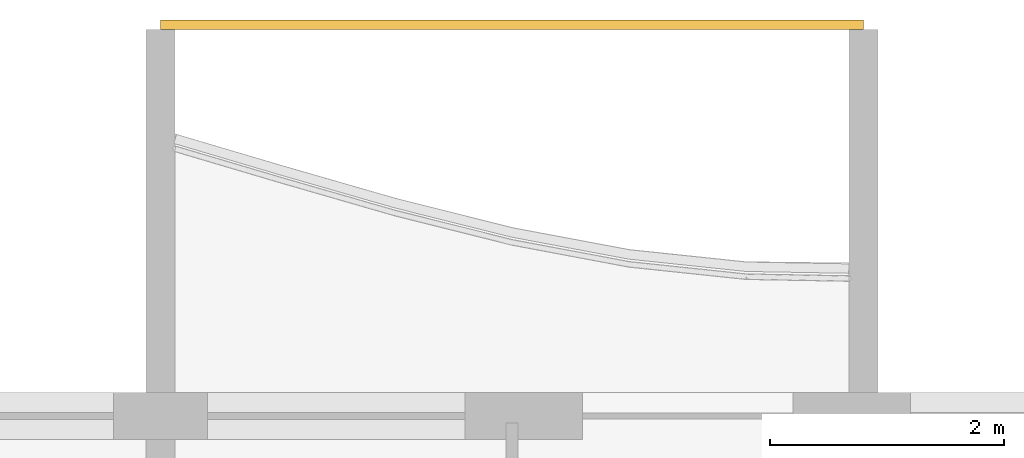
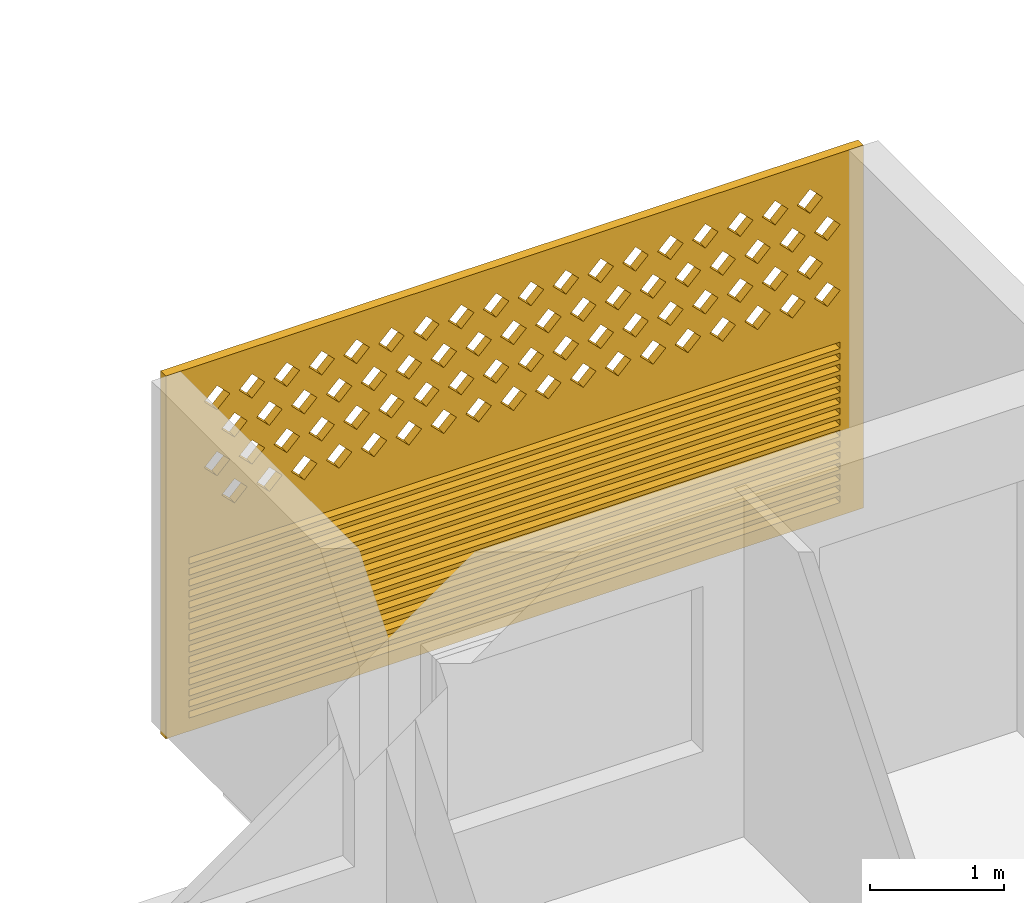
# One storey, part 20 of 26: 1 covering.
"""IFC4 building model written with IfcOpenShell, lengths in metres."""

import ifcopenshell
import ifcopenshell.guid

model = None  # the IFC model being written
_history = None  # IfcOwnerHistory: only IFC2X3 demands one
_inside = {}  # id of a spatial element -> (the spatial element, [elements in it])
_under = {}  # id of a project, library or spatial element -> (it, [spatial elements below it])
_declared = {}  # id of a project -> (the project, [libraries it declares])
_typed = {}  # id of a type object -> (the type object, [elements of that type])
_made_of = {}  # id of a material, layer set ... -> (it, [elements and type objects made of it])


def new_model(schema):
    """Start an empty IFC model of exactly this schema.

    Asked for "IFC4X3", IfcOpenShell would pick the latest addendum, in which some entities
    have other attributes; the version numbers below select the first issue.
    IFC2X3 requires an IfcOwnerHistory on every rooted entity: one is made here for all.
    """
    global model, _history
    if schema == "IFC4X3":
        model = ifcopenshell.file(schema_version=(4, 3, 0, 0))
    else:
        model = ifcopenshell.file(schema=schema)
    _inside.clear()
    _under.clear()
    _declared.clear()
    _typed.clear()
    _made_of.clear()
    _history = None
    if model.schema == "IFC2X3":
        org = make("IfcOrganization", Name="unknown")
        user = make(
            "IfcPersonAndOrganization",
            ThePerson=make("IfcPerson", FamilyName="unknown"),
            TheOrganization=org,
        )
        app = make(
            "IfcApplication",
            ApplicationDeveloper=org,
            Version="unknown",
            ApplicationFullName="unknown",
            ApplicationIdentifier="unknown",
        )
        _history = make(
            "IfcOwnerHistory",
            OwningUser=user,
            OwningApplication=app,
            ChangeAction="ADDED",
            CreationDate=0,
        )
    return model


def make(cls, **values):
    """One entity of the class cls with the attributes given. An attribute that is None is left unset."""
    return model.create_entity(
        cls, **{name: value for name, value in values.items() if value is not None}
    )


def rooted(cls, **values):
    """An entity with a GlobalId (a new one), such as an element, a storey or a relation."""
    return make(cls, GlobalId=ifcopenshell.guid.new(), OwnerHistory=_history, **values)


def si_unit(unit_type, name, prefix=None):
    """IfcSIUnit, for example si_unit("LENGTHUNIT", "METRE", prefix="MILLI")."""
    return make("IfcSIUnit", UnitType=unit_type, Prefix=prefix, Name=name)


def assignment(units):
    """IfcUnitAssignment: the units of a project."""
    return None if units is None else make("IfcUnitAssignment", Units=units)


def point(xyz):
    """IfcCartesianPoint."""
    return None if xyz is None else make("IfcCartesianPoint", Coordinates=xyz)


def direction(xyz):
    """IfcDirection."""
    return None if xyz is None else make("IfcDirection", DirectionRatios=xyz)


def frame(location, z_axis=None, x_axis=None):
    """IfcAxis2Placement3D, a coordinate frame: its origin and axes. An axis left out is left unset."""
    return make(
        "IfcAxis2Placement3D",
        Location=point(location),
        Axis=direction(z_axis),
        RefDirection=direction(x_axis),
    )


def origin():
    """The frame at (0, 0, 0) with its axes left unset."""
    return frame((0.0, 0.0, 0.0))


def place(relative_to, where):
    """IfcLocalPlacement: puts the frame where relative to a parent placement (None: the world)."""
    return make(
        "IfcLocalPlacement", PlacementRelTo=relative_to, RelativePlacement=where
    )


def context(
    kind, dimensions, precision=None, world=None, true_north=None, identifier=None
):
    """IfcGeometricRepresentationContext, for example the 3D "Model" context."""
    return make(
        "IfcGeometricRepresentationContext",
        ContextIdentifier=identifier,
        ContextType=kind,
        CoordinateSpaceDimension=dimensions,
        Precision=precision,
        WorldCoordinateSystem=world,
        TrueNorth=true_north,
    )


def subcontext(parent, identifier, kind, view, scale=None):
    """IfcGeometricRepresentationSubContext, for example "Body" below "Model"."""
    return make(
        "IfcGeometricRepresentationSubContext",
        ContextIdentifier=identifier,
        ContextType=kind,
        ParentContext=parent,
        TargetScale=scale,
        TargetView=view,
    )


def project(units=None, contexts=None):
    """IfcProject with its units and contexts."""
    return rooted(
        "IfcProject",
        Name="project",
        RepresentationContexts=contexts,
        UnitsInContext=assignment(units),
    )


def spatial(cls, under=None, at=None, **own):
    """A site, building, storey or space (cls), placed at a placement, below another one or the project."""
    s = rooted(cls, ObjectPlacement=at, **own)
    if under is not None:
        _under.setdefault(under.id(), (under, []))[1].append(s)
    return s


def polyline(points):
    """IfcPolyline through the points."""
    return make("IfcPolyline", Points=[point(p) for p in points])


def outline(outer, holes=None, kind="AREA"):
    """IfcArbitraryClosedProfileDef: a profile drawn as a closed curve; with holes, ...WithVoids."""
    if holes is None:
        return make("IfcArbitraryClosedProfileDef", ProfileType=kind, OuterCurve=outer)
    return make(
        "IfcArbitraryProfileDefWithVoids",
        ProfileType=kind,
        OuterCurve=outer,
        InnerCurves=holes,
    )


def extrude(swept, where, along, depth):
    """IfcExtrudedAreaSolid: the profile swept, set in the frame where, extruded along a direction by depth."""
    return make(
        "IfcExtrudedAreaSolid",
        SweptArea=swept,
        Position=where,
        ExtrudedDirection=direction(along),
        Depth=depth,
    )


def shape(context_of_items, identifier, shape_type, items):
    """IfcShapeRepresentation: the items that make up one representation, for example the "Body"."""
    return make(
        "IfcShapeRepresentation",
        ContextOfItems=context_of_items,
        RepresentationIdentifier=identifier,
        RepresentationType=shape_type,
        Items=items,
    )


def source(mapping_origin, context_of_items, identifier, shape_type, items):
    """IfcRepresentationMap: a shape defined once, which mapped items show again and again."""
    return make(
        "IfcRepresentationMap",
        MappingOrigin=mapping_origin,
        MappedRepresentation=shape(context_of_items, identifier, shape_type, items),
    )


def transform(
    local_origin,
    x_axis=None,
    y_axis=None,
    z_axis=None,
    scale=None,
    scale2=None,
    scale3=None,
    uniform=True,
):
    """IfcCartesianTransformationOperator3D, or its non-uniform kind. x_axis, y_axis, z_axis: its Axis1, 2, 3."""
    if uniform:
        return make(
            "IfcCartesianTransformationOperator3D",
            Axis1=direction(x_axis),
            Axis2=direction(y_axis),
            LocalOrigin=point(local_origin),
            Scale=scale,
            Axis3=direction(z_axis),
        )
    return make(
        "IfcCartesianTransformationOperator3DnonUniform",
        Axis1=direction(x_axis),
        Axis2=direction(y_axis),
        LocalOrigin=point(local_origin),
        Scale=scale,
        Axis3=direction(z_axis),
        Scale2=scale2,
        Scale3=scale3,
    )


def mapped(mapping_source, mapping_target):
    """IfcMappedItem: shows the shape of a source again, moved by a transform."""
    return make(
        "IfcMappedItem", MappingSource=mapping_source, MappingTarget=mapping_target
    )


def material(Name=None, Category=None):
    """IfcMaterial."""
    return make("IfcMaterial", Name=Name, Category=Category)


def material_profile(
    of_material, cross_section, Name=None, Category=None, Priority=None
):
    """IfcMaterialProfile: a cross section and its material."""
    return make(
        "IfcMaterialProfile",
        Name=Name,
        Material=of_material,
        Profile=cross_section,
        Priority=Priority,
        Category=Category,
    )


def profile_set(profiles, Name=None, composite=None):
    """IfcMaterialProfileSet."""
    return make(
        "IfcMaterialProfileSet",
        Name=Name,
        MaterialProfiles=profiles,
        CompositeProfile=composite,
    )


def made_of(thing, what):
    """Note that an element or type object is made of a material, layer set ...; save() writes the relation."""
    if what is not None:
        _made_of.setdefault(what.id(), (what, []))[1].append(thing)
    return thing


def type_object(cls, material=None, **own):
    """A type object (cls), such as IfcWallType, which elements share."""
    return made_of(rooted(cls, **own), material)


def element(
    cls,
    number,
    at=None,
    inside=None,
    cuts=None,
    type_object=None,
    material=None,
    context=None,
    identifier="Body",
    shape_type=None,
    held_by="IfcProductDefinitionShape",
    body=None,
    shapes=None,
    **own,
):
    """One element of the class cls, such as IfcWall. Its Tag is "e" and its number.

    at: its placement. inside: the storey or other place that contains it. cuts: it is an
    opening in that element (IfcRelVoidsElement). A single representation is given by context,
    identifier, shape_type and body (its items); several are given by shapes. held_by: the class
    of the entity that holds the representations. save() writes the other relations.
    """
    e = rooted(cls, Tag="e%d" % number, ObjectPlacement=at, **own)
    if body is not None:
        shapes = [shape(context, identifier, shape_type, body)]
    if shapes is not None:
        e.Representation = make(held_by, Representations=shapes)
    if inside is not None:
        _inside.setdefault(inside.id(), (inside, []))[1].append(e)
    if cuts is not None:
        rooted(
            "IfcRelVoidsElement", RelatingBuildingElement=cuts, RelatedOpeningElement=e
        )
    if type_object is not None:
        _typed.setdefault(type_object.id(), (type_object, []))[1].append(e)
    return made_of(e, material)


def aggregate(whole, parts):
    """IfcRelAggregates: a whole, such as a stair, and the parts it consists of."""
    return rooted("IfcRelAggregates", RelatingObject=whole, RelatedObjects=parts)


def save(model, path):
    """Write the relations noted so far, then the file.

    IfcRelAggregates (storeys below a building ...), IfcRelContainedInSpatialStructure (elements
    in a storey), IfcRelDefinesByType, IfcRelAssociatesMaterial and IfcRelDeclares: one each for
    every whole, place, type object, material and project.
    """
    for whole, parts in _under.values():
        aggregate(whole, parts)
    for where, things in _inside.values():
        rooted(
            "IfcRelContainedInSpatialStructure",
            RelatedElements=things,
            RelatingStructure=where,
        )
    for kind, things in _typed.values():
        rooted("IfcRelDefinesByType", RelatedObjects=things, RelatingType=kind)
    for what, things in _made_of.values():
        rooted("IfcRelAssociatesMaterial", RelatedObjects=things, RelatingMaterial=what)
    for by, libraries in _declared.values():
        rooted("IfcRelDeclares", RelatingContext=by, RelatedDefinitions=libraries)
    model.write(path)


model = new_model("IFC4")

# Units and contexts
model_context = context("Model", 3, precision=1e-05, world=origin(), true_north=direction((0.0, 1.0)))
body_context = subcontext(model_context, "Body", "Model", "MODEL_VIEW")
ifc_project = project(units=[si_unit("LENGTHUNIT", "METRE"), si_unit("AREAUNIT", "SQUARE_METRE"), si_unit("VOLUMEUNIT", "CUBIC_METRE"), si_unit("PLANEANGLEUNIT", "RADIAN"), si_unit("MASSUNIT", "GRAM", prefix="KILO")], contexts=[model_context])

# Site, building, storey
site_placement = place(None, origin())
site = spatial("IfcSite", under=ifc_project, at=site_placement, CompositionType="ELEMENT")
building_placement = place(site_placement, origin())
building = spatial("IfcBuilding", under=site, at=building_placement, Name="Poui Terraces", CompositionType="ELEMENT")
storey_placement = place(building_placement, frame((0.0, 0.0, 221.39990234375)))
storey = spatial("IfcBuildingStorey", under=building, at=storey_placement, Name="L61", CompositionType="ELEMENT", Elevation=221.39990234375)

# Covering
ifc_material = material(Name="Terracotta screen", Category="masonry")
ifc_material_profile = material_profile(ifc_material, outline(polyline([(-3.0, -1.64990234375), (3.0, -1.64990234375), (3.0, 1.64990234375), (-3.0, 1.64990234375), (-3.0, -1.64990234375)]), holes=[polyline([(-2.800048828125, 0.39990234375), (-2.68994140625, 0.2900390625), (-2.580078125, 0.39990234375), (-2.68994140625, 0.510009765625), (-2.800048828125, 0.39990234375)]), polyline([(-2.5, 0.39990234375), (-2.389892578125, 0.2900390625), (-2.280029296875, 0.39990234375), (-2.389892578125, 0.510009765625), (-2.5, 0.39990234375)]), polyline([(-2.199951171875, 0.39990234375), (-2.090087890625, 0.2900390625), (-1.97998046875, 0.39990234375), (-2.090087890625, 0.510009765625), (-2.199951171875, 0.39990234375)]), polyline([(-1.89990234375, 0.39990234375), (-1.7900390625, 0.2900390625), (-1.679931640625, 0.39990234375), (-1.7900390625, 0.510009765625), (-1.89990234375, 0.39990234375)]), polyline([(-1.60009765625, 0.39990234375), (-1.489990234375, 0.2900390625), (-1.3798828125, 0.39990234375), (-1.489990234375, 0.510009765625), (-1.60009765625, 0.39990234375)]), polyline([(-1.300048828125, 0.39990234375), (-1.18994140625, 0.2900390625), (-1.080078125, 0.39990234375), (-1.18994140625, 0.510009765625), (-1.300048828125, 0.39990234375)]), polyline([(-1.0, 0.39990234375), (-0.889892578125, 0.2900390625), (-0.780029296875, 0.39990234375), (-0.889892578125, 0.510009765625), (-1.0, 0.39990234375)]), polyline([(-0.699951171875, 0.39990234375), (-0.590087890625, 0.2900390625), (-0.47998046875, 0.39990234375), (-0.590087890625, 0.510009765625), (-0.699951171875, 0.39990234375)]), polyline([(-0.39990234375, 0.39990234375), (-0.2900390625, 0.2900390625), (-0.179931640625, 0.39990234375), (-0.2900390625, 0.510009765625), (-0.39990234375, 0.39990234375)]), polyline([(-0.10009765625, 0.39990234375), (0.010009765625, 0.2900390625), (0.1201171875, 0.39990234375), (0.010009765625, 0.510009765625), (-0.10009765625, 0.39990234375)]), polyline([(0.199951171875, 0.39990234375), (0.31005859375, 0.2900390625), (0.419921875, 0.39990234375), (0.31005859375, 0.510009765625), (0.199951171875, 0.39990234375)]), polyline([(0.5, 0.39990234375), (0.610107421875, 0.2900390625), (0.719970703125, 0.39990234375), (0.610107421875, 0.510009765625), (0.5, 0.39990234375)]), polyline([(0.800048828125, 0.39990234375), (0.909912109375, 0.2900390625), (1.02001953125, 0.39990234375), (0.909912109375, 0.510009765625), (0.800048828125, 0.39990234375)]), polyline([(1.10009765625, 0.39990234375), (1.2099609375, 0.2900390625), (1.320068359375, 0.39990234375), (1.2099609375, 0.510009765625), (1.10009765625, 0.39990234375)]), polyline([(1.39990234375, 0.39990234375), (1.510009765625, 0.2900390625), (1.6201171875, 0.39990234375), (1.510009765625, 0.510009765625), (1.39990234375, 0.39990234375)]), polyline([(1.699951171875, 0.39990234375), (1.81005859375, 0.2900390625), (1.919921875, 0.39990234375), (1.81005859375, 0.510009765625), (1.699951171875, 0.39990234375)]), polyline([(2.0, 0.39990234375), (2.110107421875, 0.2900390625), (2.219970703125, 0.39990234375), (2.110107421875, 0.510009765625), (2.0, 0.39990234375)]), polyline([(2.300048828125, 0.39990234375), (2.409912109375, 0.2900390625), (2.52001953125, 0.39990234375), (2.409912109375, 0.510009765625), (2.300048828125, 0.39990234375)]), polyline([(-2.64990234375, 0.699951171875), (-2.5400390625, 0.590087890625), (-2.429931640625, 0.699951171875), (-2.5400390625, 0.81005859375), (-2.64990234375, 0.699951171875)]), polyline([(-2.35009765625, 0.699951171875), (-2.239990234375, 0.590087890625), (-2.1298828125, 0.699951171875), (-2.239990234375, 0.81005859375), (-2.35009765625, 0.699951171875)]), polyline([(-2.050048828125, 0.699951171875), (-1.93994140625, 0.590087890625), (-1.830078125, 0.699951171875), (-1.93994140625, 0.81005859375), (-2.050048828125, 0.699951171875)]), polyline([(-1.75, 0.699951171875), (-1.639892578125, 0.590087890625), (-1.530029296875, 0.699951171875), (-1.639892578125, 0.81005859375), (-1.75, 0.699951171875)]), polyline([(-1.449951171875, 0.699951171875), (-1.340087890625, 0.590087890625), (-1.22998046875, 0.699951171875), (-1.340087890625, 0.81005859375), (-1.449951171875, 0.699951171875)]), polyline([(-1.14990234375, 0.699951171875), (-1.0400390625, 0.590087890625), (-0.929931640625, 0.699951171875), (-1.0400390625, 0.81005859375), (-1.14990234375, 0.699951171875)]), polyline([(-0.85009765625, 0.699951171875), (-0.739990234375, 0.590087890625), (-0.6298828125, 0.699951171875), (-0.739990234375, 0.81005859375), (-0.85009765625, 0.699951171875)]), polyline([(-0.550048828125, 0.699951171875), (-0.43994140625, 0.590087890625), (-0.330078125, 0.699951171875), (-0.43994140625, 0.81005859375), (-0.550048828125, 0.699951171875)]), polyline([(-0.25, 0.699951171875), (-0.139892578125, 0.590087890625), (-0.030029296875, 0.699951171875), (-0.139892578125, 0.81005859375), (-0.25, 0.699951171875)]), polyline([(0.050048828125, 0.699951171875), (0.159912109375, 0.590087890625), (0.27001953125, 0.699951171875), (0.159912109375, 0.81005859375), (0.050048828125, 0.699951171875)]), polyline([(0.35009765625, 0.699951171875), (0.4599609375, 0.590087890625), (0.570068359375, 0.699951171875), (0.4599609375, 0.81005859375), (0.35009765625, 0.699951171875)]), polyline([(0.64990234375, 0.699951171875), (0.760009765625, 0.590087890625), (0.8701171875, 0.699951171875), (0.760009765625, 0.81005859375), (0.64990234375, 0.699951171875)]), polyline([(0.949951171875, 0.699951171875), (1.06005859375, 0.590087890625), (1.169921875, 0.699951171875), (1.06005859375, 0.81005859375), (0.949951171875, 0.699951171875)]), polyline([(1.25, 0.699951171875), (1.360107421875, 0.590087890625), (1.469970703125, 0.699951171875), (1.360107421875, 0.81005859375), (1.25, 0.699951171875)]), polyline([(1.550048828125, 0.699951171875), (1.659912109375, 0.590087890625), (1.77001953125, 0.699951171875), (1.659912109375, 0.81005859375), (1.550048828125, 0.699951171875)]), polyline([(1.85009765625, 0.699951171875), (1.9599609375, 0.590087890625), (2.070068359375, 0.699951171875), (1.9599609375, 0.81005859375), (1.85009765625, 0.699951171875)]), polyline([(2.14990234375, 0.699951171875), (2.260009765625, 0.590087890625), (2.3701171875, 0.699951171875), (2.260009765625, 0.81005859375), (2.14990234375, 0.699951171875)]), polyline([(2.449951171875, 0.699951171875), (2.56005859375, 0.590087890625), (2.669921875, 0.699951171875), (2.56005859375, 0.81005859375), (2.449951171875, 0.699951171875)]), polyline([(-2.800048828125, 1.0), (-2.68994140625, 0.889892578125), (-2.580078125, 1.0), (-2.68994140625, 1.110107421875), (-2.800048828125, 1.0)]), polyline([(-2.5, 1.0), (-2.389892578125, 0.889892578125), (-2.280029296875, 1.0), (-2.389892578125, 1.110107421875), (-2.5, 1.0)]), polyline([(-2.199951171875, 1.0), (-2.090087890625, 0.889892578125), (-1.97998046875, 1.0), (-2.090087890625, 1.110107421875), (-2.199951171875, 1.0)]), polyline([(-1.89990234375, 1.0), (-1.7900390625, 0.889892578125), (-1.679931640625, 1.0), (-1.7900390625, 1.110107421875), (-1.89990234375, 1.0)]), polyline([(-1.60009765625, 1.0), (-1.489990234375, 0.889892578125), (-1.3798828125, 1.0), (-1.489990234375, 1.110107421875), (-1.60009765625, 1.0)]), polyline([(-1.300048828125, 1.0), (-1.18994140625, 0.889892578125), (-1.080078125, 1.0), (-1.18994140625, 1.110107421875), (-1.300048828125, 1.0)]), polyline([(-1.0, 1.0), (-0.889892578125, 0.889892578125), (-0.780029296875, 1.0), (-0.889892578125, 1.110107421875), (-1.0, 1.0)]), polyline([(-0.699951171875, 1.0), (-0.590087890625, 0.889892578125), (-0.47998046875, 1.0), (-0.590087890625, 1.110107421875), (-0.699951171875, 1.0)]), polyline([(-0.39990234375, 1.0), (-0.2900390625, 0.889892578125), (-0.179931640625, 1.0), (-0.2900390625, 1.110107421875), (-0.39990234375, 1.0)]), polyline([(-0.10009765625, 1.0), (0.010009765625, 0.889892578125), (0.1201171875, 1.0), (0.010009765625, 1.110107421875), (-0.10009765625, 1.0)]), polyline([(0.199951171875, 1.0), (0.31005859375, 0.889892578125), (0.419921875, 1.0), (0.31005859375, 1.110107421875), (0.199951171875, 1.0)]), polyline([(0.5, 1.0), (0.610107421875, 0.889892578125), (0.719970703125, 1.0), (0.610107421875, 1.110107421875), (0.5, 1.0)]), polyline([(0.800048828125, 1.0), (0.909912109375, 0.889892578125), (1.02001953125, 1.0), (0.909912109375, 1.110107421875), (0.800048828125, 1.0)]), polyline([(1.10009765625, 1.0), (1.2099609375, 0.889892578125), (1.320068359375, 1.0), (1.2099609375, 1.110107421875), (1.10009765625, 1.0)]), polyline([(1.39990234375, 1.0), (1.510009765625, 0.889892578125), (1.6201171875, 1.0), (1.510009765625, 1.110107421875), (1.39990234375, 1.0)]), polyline([(1.699951171875, 1.0), (1.81005859375, 0.889892578125), (1.919921875, 1.0), (1.81005859375, 1.110107421875), (1.699951171875, 1.0)]), polyline([(2.0, 1.0), (2.110107421875, 0.889892578125), (2.219970703125, 1.0), (2.110107421875, 1.110107421875), (2.0, 1.0)]), polyline([(2.300048828125, 1.0), (2.409912109375, 0.889892578125), (2.52001953125, 1.0), (2.409912109375, 1.110107421875), (2.300048828125, 1.0)]), polyline([(-2.64990234375, 1.300048828125), (-2.5400390625, 1.18994140625), (-2.429931640625, 1.300048828125), (-2.5400390625, 1.409912109375), (-2.64990234375, 1.300048828125)]), polyline([(-2.35009765625, 1.300048828125), (-2.239990234375, 1.18994140625), (-2.1298828125, 1.300048828125), (-2.239990234375, 1.409912109375), (-2.35009765625, 1.300048828125)]), polyline([(-2.050048828125, 1.300048828125), (-1.93994140625, 1.18994140625), (-1.830078125, 1.300048828125), (-1.93994140625, 1.409912109375), (-2.050048828125, 1.300048828125)]), polyline([(-1.75, 1.300048828125), (-1.639892578125, 1.18994140625), (-1.530029296875, 1.300048828125), (-1.639892578125, 1.409912109375), (-1.75, 1.300048828125)]), polyline([(-1.449951171875, 1.300048828125), (-1.340087890625, 1.18994140625), (-1.22998046875, 1.300048828125), (-1.340087890625, 1.409912109375), (-1.449951171875, 1.300048828125)]), polyline([(-1.14990234375, 1.300048828125), (-1.0400390625, 1.18994140625), (-0.929931640625, 1.300048828125), (-1.0400390625, 1.409912109375), (-1.14990234375, 1.300048828125)]), polyline([(-0.85009765625, 1.300048828125), (-0.739990234375, 1.18994140625), (-0.6298828125, 1.300048828125), (-0.739990234375, 1.409912109375), (-0.85009765625, 1.300048828125)]), polyline([(-0.550048828125, 1.300048828125), (-0.43994140625, 1.18994140625), (-0.330078125, 1.300048828125), (-0.43994140625, 1.409912109375), (-0.550048828125, 1.300048828125)]), polyline([(-0.25, 1.300048828125), (-0.139892578125, 1.18994140625), (-0.030029296875, 1.300048828125), (-0.139892578125, 1.409912109375), (-0.25, 1.300048828125)]), polyline([(0.050048828125, 1.300048828125), (0.159912109375, 1.18994140625), (0.27001953125, 1.300048828125), (0.159912109375, 1.409912109375), (0.050048828125, 1.300048828125)]), polyline([(0.35009765625, 1.300048828125), (0.4599609375, 1.18994140625), (0.570068359375, 1.300048828125), (0.4599609375, 1.409912109375), (0.35009765625, 1.300048828125)]), polyline([(0.64990234375, 1.300048828125), (0.760009765625, 1.18994140625), (0.8701171875, 1.300048828125), (0.760009765625, 1.409912109375), (0.64990234375, 1.300048828125)]), polyline([(0.949951171875, 1.300048828125), (1.06005859375, 1.18994140625), (1.169921875, 1.300048828125), (1.06005859375, 1.409912109375), (0.949951171875, 1.300048828125)]), polyline([(1.25, 1.300048828125), (1.360107421875, 1.18994140625), (1.469970703125, 1.300048828125), (1.360107421875, 1.409912109375), (1.25, 1.300048828125)]), polyline([(1.550048828125, 1.300048828125), (1.659912109375, 1.18994140625), (1.77001953125, 1.300048828125), (1.659912109375, 1.409912109375), (1.550048828125, 1.300048828125)]), polyline([(1.85009765625, 1.300048828125), (1.9599609375, 1.18994140625), (2.070068359375, 1.300048828125), (1.9599609375, 1.409912109375), (1.85009765625, 1.300048828125)]), polyline([(2.14990234375, 1.300048828125), (2.260009765625, 1.18994140625), (2.3701171875, 1.300048828125), (2.260009765625, 1.409912109375), (2.14990234375, 1.300048828125)]), polyline([(2.449951171875, 1.300048828125), (2.56005859375, 1.18994140625), (2.669921875, 1.300048828125), (2.56005859375, 1.409912109375), (2.449951171875, 1.300048828125)]), polyline([(-2.800048828125, -1.530029296875), (2.800048828125, -1.530029296875), (2.800048828125, -1.469970703125), (-2.800048828125, -1.469970703125), (-2.800048828125, -1.530029296875)]), polyline([(-2.800048828125, -1.429931640625), (2.800048828125, -1.429931640625), (2.800048828125, -1.3701171875), (-2.800048828125, -1.3701171875), (-2.800048828125, -1.429931640625)]), polyline([(-2.800048828125, -1.330078125), (2.800048828125, -1.330078125), (2.800048828125, -1.27001953125), (-2.800048828125, -1.27001953125), (-2.800048828125, -1.330078125)]), polyline([(-2.800048828125, -1.22998046875), (2.800048828125, -1.22998046875), (2.800048828125, -1.169921875), (-2.800048828125, -1.169921875), (-2.800048828125, -1.22998046875)]), polyline([(-2.800048828125, -1.1298828125), (2.800048828125, -1.1298828125), (2.800048828125, -1.070068359375), (-2.800048828125, -1.070068359375), (-2.800048828125, -1.1298828125)]), polyline([(-2.800048828125, -1.030029296875), (2.800048828125, -1.030029296875), (2.800048828125, -0.969970703125), (-2.800048828125, -0.969970703125), (-2.800048828125, -1.030029296875)]), polyline([(-2.800048828125, -0.929931640625), (2.800048828125, -0.929931640625), (2.800048828125, -0.8701171875), (-2.800048828125, -0.8701171875), (-2.800048828125, -0.929931640625)]), polyline([(-2.800048828125, -0.830078125), (2.800048828125, -0.830078125), (2.800048828125, -0.77001953125), (-2.800048828125, -0.77001953125), (-2.800048828125, -0.830078125)]), polyline([(-2.800048828125, -0.72998046875), (2.800048828125, -0.72998046875), (2.800048828125, -0.669921875), (-2.800048828125, -0.669921875), (-2.800048828125, -0.72998046875)]), polyline([(-2.800048828125, -0.6298828125), (2.800048828125, -0.6298828125), (2.800048828125, -0.570068359375), (-2.800048828125, -0.570068359375), (-2.800048828125, -0.6298828125)]), polyline([(-2.800048828125, -0.530029296875), (2.800048828125, -0.530029296875), (2.800048828125, -0.469970703125), (-2.800048828125, -0.469970703125), (-2.800048828125, -0.530029296875)]), polyline([(-2.800048828125, -0.429931640625), (2.800048828125, -0.429931640625), (2.800048828125, -0.3701171875), (-2.800048828125, -0.3701171875), (-2.800048828125, -0.429931640625)]), polyline([(-2.800048828125, -0.330078125), (2.800048828125, -0.330078125), (2.800048828125, -0.27001953125), (-2.800048828125, -0.27001953125), (-2.800048828125, -0.330078125)]), polyline([(-2.800048828125, -0.22998046875), (2.800048828125, -0.22998046875), (2.800048828125, -0.169921875), (-2.800048828125, -0.169921875), (-2.800048828125, -0.22998046875)]), polyline([(-2.800048828125, -0.1298828125), (2.800048828125, -0.1298828125), (2.800048828125, -0.070068359375), (-2.800048828125, -0.070068359375), (-2.800048828125, -0.1298828125)])]), Name="TERRACOTTA SCREEN AND JALOUSIE LOUVRE 6000X3300")
ifc_profile_set = profile_set([ifc_material_profile], Name="Terracotta screen")
covering_type = type_object("IfcCoveringType", Name="TERRACOTTA SCREEN AND JALOUSIE LOUVRE 6000X3300", PredefinedType="CLADDING", material=ifc_profile_set)
shared_shape = source(origin(), body_context, "Body", "SweptSolid", [
    extrude(outline(polyline([(-3.0, -1.64990234375), (3.0, -1.64990234375), (3.0, 1.64990234375), (-3.0, 1.64990234375), (-3.0, -1.64990234375)]), holes=[polyline([(-2.800048828125, 0.39990234375), (-2.68994140625, 0.2900390625), (-2.580078125, 0.39990234375), (-2.68994140625, 0.510009765625), (-2.800048828125, 0.39990234375)]), polyline([(-2.5, 0.39990234375), (-2.389892578125, 0.2900390625), (-2.280029296875, 0.39990234375), (-2.389892578125, 0.510009765625), (-2.5, 0.39990234375)]), polyline([(-2.199951171875, 0.39990234375), (-2.090087890625, 0.2900390625), (-1.97998046875, 0.39990234375), (-2.090087890625, 0.510009765625), (-2.199951171875, 0.39990234375)]), polyline([(-1.89990234375, 0.39990234375), (-1.7900390625, 0.2900390625), (-1.679931640625, 0.39990234375), (-1.7900390625, 0.510009765625), (-1.89990234375, 0.39990234375)]), polyline([(-1.60009765625, 0.39990234375), (-1.489990234375, 0.2900390625), (-1.3798828125, 0.39990234375), (-1.489990234375, 0.510009765625), (-1.60009765625, 0.39990234375)]), polyline([(-1.300048828125, 0.39990234375), (-1.18994140625, 0.2900390625), (-1.080078125, 0.39990234375), (-1.18994140625, 0.510009765625), (-1.300048828125, 0.39990234375)]), polyline([(-1.0, 0.39990234375), (-0.889892578125, 0.2900390625), (-0.780029296875, 0.39990234375), (-0.889892578125, 0.510009765625), (-1.0, 0.39990234375)]), polyline([(-0.699951171875, 0.39990234375), (-0.590087890625, 0.2900390625), (-0.47998046875, 0.39990234375), (-0.590087890625, 0.510009765625), (-0.699951171875, 0.39990234375)]), polyline([(-0.39990234375, 0.39990234375), (-0.2900390625, 0.2900390625), (-0.179931640625, 0.39990234375), (-0.2900390625, 0.510009765625), (-0.39990234375, 0.39990234375)]), polyline([(-0.10009765625, 0.39990234375), (0.010009765625, 0.2900390625), (0.1201171875, 0.39990234375), (0.010009765625, 0.510009765625), (-0.10009765625, 0.39990234375)]), polyline([(0.199951171875, 0.39990234375), (0.31005859375, 0.2900390625), (0.419921875, 0.39990234375), (0.31005859375, 0.510009765625), (0.199951171875, 0.39990234375)]), polyline([(0.5, 0.39990234375), (0.610107421875, 0.2900390625), (0.719970703125, 0.39990234375), (0.610107421875, 0.510009765625), (0.5, 0.39990234375)]), polyline([(0.800048828125, 0.39990234375), (0.909912109375, 0.2900390625), (1.02001953125, 0.39990234375), (0.909912109375, 0.510009765625), (0.800048828125, 0.39990234375)]), polyline([(1.10009765625, 0.39990234375), (1.2099609375, 0.2900390625), (1.320068359375, 0.39990234375), (1.2099609375, 0.510009765625), (1.10009765625, 0.39990234375)]), polyline([(1.39990234375, 0.39990234375), (1.510009765625, 0.2900390625), (1.6201171875, 0.39990234375), (1.510009765625, 0.510009765625), (1.39990234375, 0.39990234375)]), polyline([(1.699951171875, 0.39990234375), (1.81005859375, 0.2900390625), (1.919921875, 0.39990234375), (1.81005859375, 0.510009765625), (1.699951171875, 0.39990234375)]), polyline([(2.0, 0.39990234375), (2.110107421875, 0.2900390625), (2.219970703125, 0.39990234375), (2.110107421875, 0.510009765625), (2.0, 0.39990234375)]), polyline([(2.300048828125, 0.39990234375), (2.409912109375, 0.2900390625), (2.52001953125, 0.39990234375), (2.409912109375, 0.510009765625), (2.300048828125, 0.39990234375)]), polyline([(-2.64990234375, 0.699951171875), (-2.5400390625, 0.590087890625), (-2.429931640625, 0.699951171875), (-2.5400390625, 0.81005859375), (-2.64990234375, 0.699951171875)]), polyline([(-2.35009765625, 0.699951171875), (-2.239990234375, 0.590087890625), (-2.1298828125, 0.699951171875), (-2.239990234375, 0.81005859375), (-2.35009765625, 0.699951171875)]), polyline([(-2.050048828125, 0.699951171875), (-1.93994140625, 0.590087890625), (-1.830078125, 0.699951171875), (-1.93994140625, 0.81005859375), (-2.050048828125, 0.699951171875)]), polyline([(-1.75, 0.699951171875), (-1.639892578125, 0.590087890625), (-1.530029296875, 0.699951171875), (-1.639892578125, 0.81005859375), (-1.75, 0.699951171875)]), polyline([(-1.449951171875, 0.699951171875), (-1.340087890625, 0.590087890625), (-1.22998046875, 0.699951171875), (-1.340087890625, 0.81005859375), (-1.449951171875, 0.699951171875)]), polyline([(-1.14990234375, 0.699951171875), (-1.0400390625, 0.590087890625), (-0.929931640625, 0.699951171875), (-1.0400390625, 0.81005859375), (-1.14990234375, 0.699951171875)]), polyline([(-0.85009765625, 0.699951171875), (-0.739990234375, 0.590087890625), (-0.6298828125, 0.699951171875), (-0.739990234375, 0.81005859375), (-0.85009765625, 0.699951171875)]), polyline([(-0.550048828125, 0.699951171875), (-0.43994140625, 0.590087890625), (-0.330078125, 0.699951171875), (-0.43994140625, 0.81005859375), (-0.550048828125, 0.699951171875)]), polyline([(-0.25, 0.699951171875), (-0.139892578125, 0.590087890625), (-0.030029296875, 0.699951171875), (-0.139892578125, 0.81005859375), (-0.25, 0.699951171875)]), polyline([(0.050048828125, 0.699951171875), (0.159912109375, 0.590087890625), (0.27001953125, 0.699951171875), (0.159912109375, 0.81005859375), (0.050048828125, 0.699951171875)]), polyline([(0.35009765625, 0.699951171875), (0.4599609375, 0.590087890625), (0.570068359375, 0.699951171875), (0.4599609375, 0.81005859375), (0.35009765625, 0.699951171875)]), polyline([(0.64990234375, 0.699951171875), (0.760009765625, 0.590087890625), (0.8701171875, 0.699951171875), (0.760009765625, 0.81005859375), (0.64990234375, 0.699951171875)]), polyline([(0.949951171875, 0.699951171875), (1.06005859375, 0.590087890625), (1.169921875, 0.699951171875), (1.06005859375, 0.81005859375), (0.949951171875, 0.699951171875)]), polyline([(1.25, 0.699951171875), (1.360107421875, 0.590087890625), (1.469970703125, 0.699951171875), (1.360107421875, 0.81005859375), (1.25, 0.699951171875)]), polyline([(1.550048828125, 0.699951171875), (1.659912109375, 0.590087890625), (1.77001953125, 0.699951171875), (1.659912109375, 0.81005859375), (1.550048828125, 0.699951171875)]), polyline([(1.85009765625, 0.699951171875), (1.9599609375, 0.590087890625), (2.070068359375, 0.699951171875), (1.9599609375, 0.81005859375), (1.85009765625, 0.699951171875)]), polyline([(2.14990234375, 0.699951171875), (2.260009765625, 0.590087890625), (2.3701171875, 0.699951171875), (2.260009765625, 0.81005859375), (2.14990234375, 0.699951171875)]), polyline([(2.449951171875, 0.699951171875), (2.56005859375, 0.590087890625), (2.669921875, 0.699951171875), (2.56005859375, 0.81005859375), (2.449951171875, 0.699951171875)]), polyline([(-2.800048828125, 1.0), (-2.68994140625, 0.889892578125), (-2.580078125, 1.0), (-2.68994140625, 1.110107421875), (-2.800048828125, 1.0)]), polyline([(-2.5, 1.0), (-2.389892578125, 0.889892578125), (-2.280029296875, 1.0), (-2.389892578125, 1.110107421875), (-2.5, 1.0)]), polyline([(-2.199951171875, 1.0), (-2.090087890625, 0.889892578125), (-1.97998046875, 1.0), (-2.090087890625, 1.110107421875), (-2.199951171875, 1.0)]), polyline([(-1.89990234375, 1.0), (-1.7900390625, 0.889892578125), (-1.679931640625, 1.0), (-1.7900390625, 1.110107421875), (-1.89990234375, 1.0)]), polyline([(-1.60009765625, 1.0), (-1.489990234375, 0.889892578125), (-1.3798828125, 1.0), (-1.489990234375, 1.110107421875), (-1.60009765625, 1.0)]), polyline([(-1.300048828125, 1.0), (-1.18994140625, 0.889892578125), (-1.080078125, 1.0), (-1.18994140625, 1.110107421875), (-1.300048828125, 1.0)]), polyline([(-1.0, 1.0), (-0.889892578125, 0.889892578125), (-0.780029296875, 1.0), (-0.889892578125, 1.110107421875), (-1.0, 1.0)]), polyline([(-0.699951171875, 1.0), (-0.590087890625, 0.889892578125), (-0.47998046875, 1.0), (-0.590087890625, 1.110107421875), (-0.699951171875, 1.0)]), polyline([(-0.39990234375, 1.0), (-0.2900390625, 0.889892578125), (-0.179931640625, 1.0), (-0.2900390625, 1.110107421875), (-0.39990234375, 1.0)]), polyline([(-0.10009765625, 1.0), (0.010009765625, 0.889892578125), (0.1201171875, 1.0), (0.010009765625, 1.110107421875), (-0.10009765625, 1.0)]), polyline([(0.199951171875, 1.0), (0.31005859375, 0.889892578125), (0.419921875, 1.0), (0.31005859375, 1.110107421875), (0.199951171875, 1.0)]), polyline([(0.5, 1.0), (0.610107421875, 0.889892578125), (0.719970703125, 1.0), (0.610107421875, 1.110107421875), (0.5, 1.0)]), polyline([(0.800048828125, 1.0), (0.909912109375, 0.889892578125), (1.02001953125, 1.0), (0.909912109375, 1.110107421875), (0.800048828125, 1.0)]), polyline([(1.10009765625, 1.0), (1.2099609375, 0.889892578125), (1.320068359375, 1.0), (1.2099609375, 1.110107421875), (1.10009765625, 1.0)]), polyline([(1.39990234375, 1.0), (1.510009765625, 0.889892578125), (1.6201171875, 1.0), (1.510009765625, 1.110107421875), (1.39990234375, 1.0)]), polyline([(1.699951171875, 1.0), (1.81005859375, 0.889892578125), (1.919921875, 1.0), (1.81005859375, 1.110107421875), (1.699951171875, 1.0)]), polyline([(2.0, 1.0), (2.110107421875, 0.889892578125), (2.219970703125, 1.0), (2.110107421875, 1.110107421875), (2.0, 1.0)]), polyline([(2.300048828125, 1.0), (2.409912109375, 0.889892578125), (2.52001953125, 1.0), (2.409912109375, 1.110107421875), (2.300048828125, 1.0)]), polyline([(-2.64990234375, 1.300048828125), (-2.5400390625, 1.18994140625), (-2.429931640625, 1.300048828125), (-2.5400390625, 1.409912109375), (-2.64990234375, 1.300048828125)]), polyline([(-2.35009765625, 1.300048828125), (-2.239990234375, 1.18994140625), (-2.1298828125, 1.300048828125), (-2.239990234375, 1.409912109375), (-2.35009765625, 1.300048828125)]), polyline([(-2.050048828125, 1.300048828125), (-1.93994140625, 1.18994140625), (-1.830078125, 1.300048828125), (-1.93994140625, 1.409912109375), (-2.050048828125, 1.300048828125)]), polyline([(-1.75, 1.300048828125), (-1.639892578125, 1.18994140625), (-1.530029296875, 1.300048828125), (-1.639892578125, 1.409912109375), (-1.75, 1.300048828125)]), polyline([(-1.449951171875, 1.300048828125), (-1.340087890625, 1.18994140625), (-1.22998046875, 1.300048828125), (-1.340087890625, 1.409912109375), (-1.449951171875, 1.300048828125)]), polyline([(-1.14990234375, 1.300048828125), (-1.0400390625, 1.18994140625), (-0.929931640625, 1.300048828125), (-1.0400390625, 1.409912109375), (-1.14990234375, 1.300048828125)]), polyline([(-0.85009765625, 1.300048828125), (-0.739990234375, 1.18994140625), (-0.6298828125, 1.300048828125), (-0.739990234375, 1.409912109375), (-0.85009765625, 1.300048828125)]), polyline([(-0.550048828125, 1.300048828125), (-0.43994140625, 1.18994140625), (-0.330078125, 1.300048828125), (-0.43994140625, 1.409912109375), (-0.550048828125, 1.300048828125)]), polyline([(-0.25, 1.300048828125), (-0.139892578125, 1.18994140625), (-0.030029296875, 1.300048828125), (-0.139892578125, 1.409912109375), (-0.25, 1.300048828125)]), polyline([(0.050048828125, 1.300048828125), (0.159912109375, 1.18994140625), (0.27001953125, 1.300048828125), (0.159912109375, 1.409912109375), (0.050048828125, 1.300048828125)]), polyline([(0.35009765625, 1.300048828125), (0.4599609375, 1.18994140625), (0.570068359375, 1.300048828125), (0.4599609375, 1.409912109375), (0.35009765625, 1.300048828125)]), polyline([(0.64990234375, 1.300048828125), (0.760009765625, 1.18994140625), (0.8701171875, 1.300048828125), (0.760009765625, 1.409912109375), (0.64990234375, 1.300048828125)]), polyline([(0.949951171875, 1.300048828125), (1.06005859375, 1.18994140625), (1.169921875, 1.300048828125), (1.06005859375, 1.409912109375), (0.949951171875, 1.300048828125)]), polyline([(1.25, 1.300048828125), (1.360107421875, 1.18994140625), (1.469970703125, 1.300048828125), (1.360107421875, 1.409912109375), (1.25, 1.300048828125)]), polyline([(1.550048828125, 1.300048828125), (1.659912109375, 1.18994140625), (1.77001953125, 1.300048828125), (1.659912109375, 1.409912109375), (1.550048828125, 1.300048828125)]), polyline([(1.85009765625, 1.300048828125), (1.9599609375, 1.18994140625), (2.070068359375, 1.300048828125), (1.9599609375, 1.409912109375), (1.85009765625, 1.300048828125)]), polyline([(2.14990234375, 1.300048828125), (2.260009765625, 1.18994140625), (2.3701171875, 1.300048828125), (2.260009765625, 1.409912109375), (2.14990234375, 1.300048828125)]), polyline([(2.449951171875, 1.300048828125), (2.56005859375, 1.18994140625), (2.669921875, 1.300048828125), (2.56005859375, 1.409912109375), (2.449951171875, 1.300048828125)]), polyline([(-2.800048828125, -1.530029296875), (2.800048828125, -1.530029296875), (2.800048828125, -1.469970703125), (-2.800048828125, -1.469970703125), (-2.800048828125, -1.530029296875)]), polyline([(-2.800048828125, -1.429931640625), (2.800048828125, -1.429931640625), (2.800048828125, -1.3701171875), (-2.800048828125, -1.3701171875), (-2.800048828125, -1.429931640625)]), polyline([(-2.800048828125, -1.330078125), (2.800048828125, -1.330078125), (2.800048828125, -1.27001953125), (-2.800048828125, -1.27001953125), (-2.800048828125, -1.330078125)]), polyline([(-2.800048828125, -1.22998046875), (2.800048828125, -1.22998046875), (2.800048828125, -1.169921875), (-2.800048828125, -1.169921875), (-2.800048828125, -1.22998046875)]), polyline([(-2.800048828125, -1.1298828125), (2.800048828125, -1.1298828125), (2.800048828125, -1.070068359375), (-2.800048828125, -1.070068359375), (-2.800048828125, -1.1298828125)]), polyline([(-2.800048828125, -1.030029296875), (2.800048828125, -1.030029296875), (2.800048828125, -0.969970703125), (-2.800048828125, -0.969970703125), (-2.800048828125, -1.030029296875)]), polyline([(-2.800048828125, -0.929931640625), (2.800048828125, -0.929931640625), (2.800048828125, -0.8701171875), (-2.800048828125, -0.8701171875), (-2.800048828125, -0.929931640625)]), polyline([(-2.800048828125, -0.830078125), (2.800048828125, -0.830078125), (2.800048828125, -0.77001953125), (-2.800048828125, -0.77001953125), (-2.800048828125, -0.830078125)]), polyline([(-2.800048828125, -0.72998046875), (2.800048828125, -0.72998046875), (2.800048828125, -0.669921875), (-2.800048828125, -0.669921875), (-2.800048828125, -0.72998046875)]), polyline([(-2.800048828125, -0.6298828125), (2.800048828125, -0.6298828125), (2.800048828125, -0.570068359375), (-2.800048828125, -0.570068359375), (-2.800048828125, -0.6298828125)]), polyline([(-2.800048828125, -0.530029296875), (2.800048828125, -0.530029296875), (2.800048828125, -0.469970703125), (-2.800048828125, -0.469970703125), (-2.800048828125, -0.530029296875)]), polyline([(-2.800048828125, -0.429931640625), (2.800048828125, -0.429931640625), (2.800048828125, -0.3701171875), (-2.800048828125, -0.3701171875), (-2.800048828125, -0.429931640625)]), polyline([(-2.800048828125, -0.330078125), (2.800048828125, -0.330078125), (2.800048828125, -0.27001953125), (-2.800048828125, -0.27001953125), (-2.800048828125, -0.330078125)]), polyline([(-2.800048828125, -0.22998046875), (2.800048828125, -0.22998046875), (2.800048828125, -0.169921875), (-2.800048828125, -0.169921875), (-2.800048828125, -0.22998046875)]), polyline([(-2.800048828125, -0.1298828125), (2.800048828125, -0.1298828125), (2.800048828125, -0.070068359375), (-2.800048828125, -0.070068359375), (-2.800048828125, -0.1298828125)])]), origin(), (0.0, 0.0, 1.0), 0.080078125),
])
covering_placement = place(storey_placement, frame((51.0, 44.5, 1.4501953125), z_axis=(0.0, 1.0, 0.0), x_axis=(-1.0, 0.0, 0.0)))
element("IfcCovering", 1, at=covering_placement, inside=storey, type_object=covering_type, Name="SOLAR SCREEN AND JALOUSIE LOUVRE", PredefinedType="CLADDING", context=body_context, shape_type="MappedRepresentation", body=[
    mapped(shared_shape, transform((0.0, 0.0, 0.0))),
])

save(model, "model.ifc")
